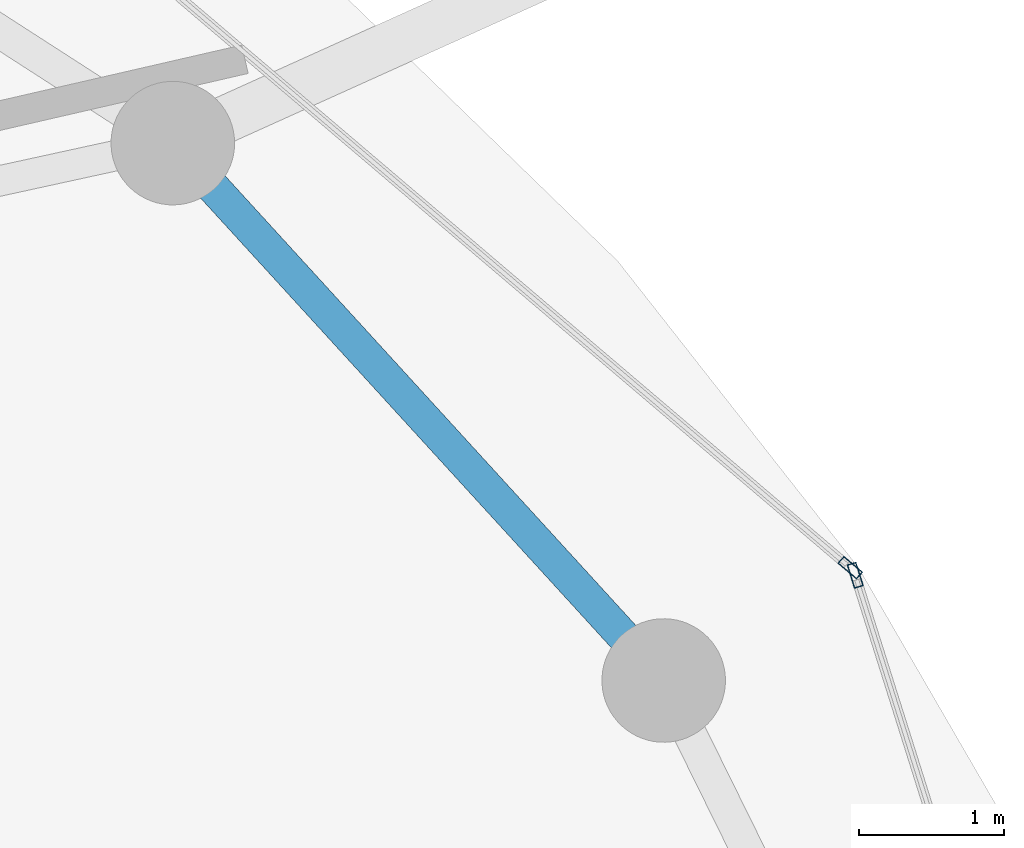
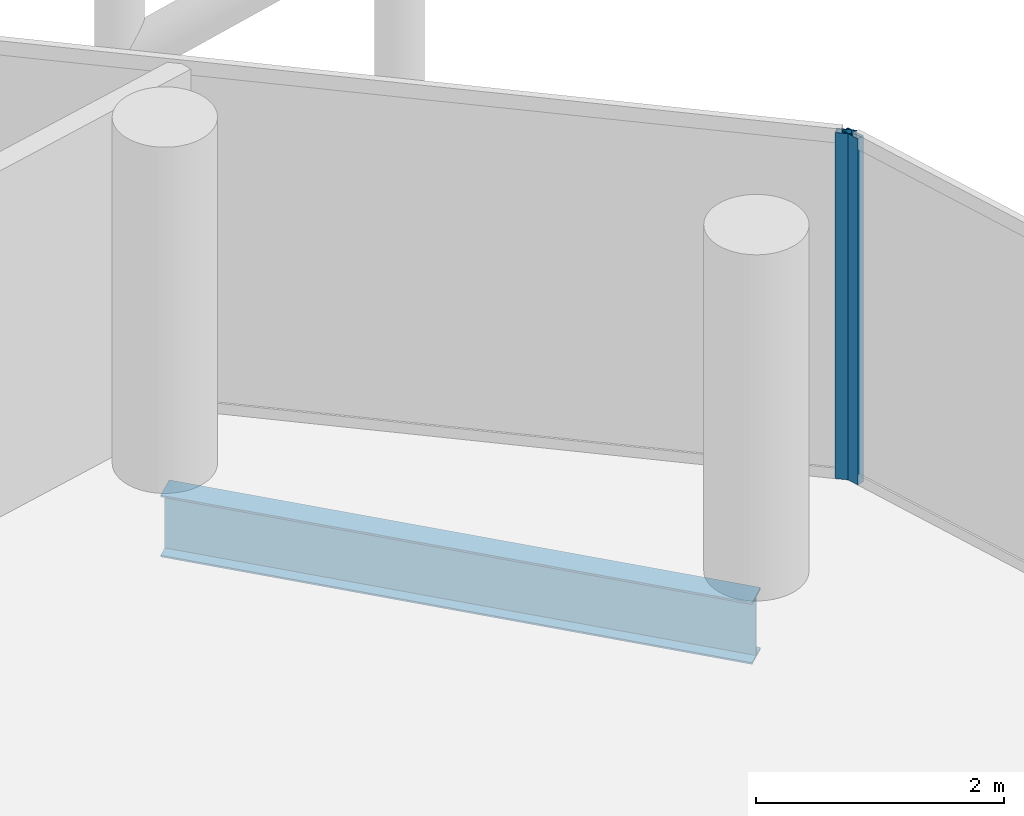
# One storey, part 17 of 27: 2 members, 1 beam, 2 elements without a shape of their own.
"""IFC4 building model written with IfcOpenShell, lengths in metres."""

from ifc_helpers import new_model, si_unit, direction, frame, origin, origin_2d, place, context, subcontext, project, spatial, hollow_rectangle, i_section, extrude, material, layer, layer_set, material_profile, profile_set, type_object, element, aggregate, save


model = new_model("IFC4")

# Units and contexts
model_context = context("Model", 3, precision=1e-05, world=origin(), true_north=direction((0.0, 1.0)))
body_context = subcontext(model_context, "Body", "Model", "MODEL_VIEW")
ifc_project = project(units=[si_unit("LENGTHUNIT", "METRE"), si_unit("AREAUNIT", "SQUARE_METRE"), si_unit("VOLUMEUNIT", "CUBIC_METRE"), si_unit("PLANEANGLEUNIT", "RADIAN"), si_unit("MASSUNIT", "GRAM", prefix="KILO")], contexts=[model_context])

# Site, building, storey
site_placement = place(None, origin())
site = spatial("IfcSite", under=ifc_project, at=site_placement, CompositionType="ELEMENT")
building_placement = place(site_placement, origin())
building = spatial("IfcBuilding", under=site, at=building_placement, Name="Nuhasar Tower", CompositionType="ELEMENT")
storey_placement = place(building_placement, frame((0.0, 0.0, 211.800048828125)))
storey = spatial("IfcBuildingStorey", under=building, at=storey_placement, Name="L51", CompositionType="ELEMENT", Elevation=211.800048828125)

# Beam
ifc_material_1 = material(Name="Steel S355", Category="steel")
ifc_material_profile_1 = material_profile(ifc_material_1, i_section(OverallWidth=0.22802734375, OverallDepth=0.60791015625, WebThickness=0.01123046875, FlangeThickness=0.017333984375, at=origin_2d()), Name="W24X76")
ifc_profile_set_1 = profile_set([ifc_material_profile_1], Name="Steel S355")
beam_type = type_object("IfcBeamType", Name="BM-RING-W24X76", PredefinedType="SPANDREL", material=ifc_profile_set_1)
beam_placement = place(storey_placement, frame((57.403076171875, 35.72509765625, -0.5439453125), z_axis=(-0.674449692975, 0.738320805373, 0.0), x_axis=(-0.738320805373, -0.674449692975, 0.0)))
element("IfcBeam", 1, at=beam_placement, inside=storey, type_object=beam_type, Name="L51 Perimeter Ring Spandrel 03", PredefinedType="SPANDREL", context=body_context, shape_type="SweptSolid", body=[
    extrude(i_section(OverallWidth=0.22802734375, OverallDepth=0.60791015625, WebThickness=0.01123046875, FlangeThickness=0.017333984375, at=origin_2d()), origin(), (0.0, 0.0, 1.0), 5.00732421875),
])

# Curtain wall, member
ifc_material_2 = material(Name="Aluminium 6063-T6", Category="aluminium")
ifc_layer = layer(ifc_material_2, 0.18994140625)
ifc_layer_set = layer_set([ifc_layer], Name="Aluminium 6063-T6")
curtain_wall_type = type_object("IfcCurtainWallType", Name="CW-Z3-RES", PredefinedType="NOTDEFINED", material=ifc_layer_set)
curtain_wall_1_placement = place(storey_placement, origin())
curtain_wall_1 = element("IfcCurtainWall", 2, at=curtain_wall_1_placement, inside=storey, type_object=curtain_wall_type, Name="L51 Unitised Curtain Wall 01", PredefinedType="NOTDEFINED")
ifc_material_profile_2 = material_profile(ifc_material_2, hollow_rectangle(XDim=0.06494140625, YDim=0.169921875, WallThickness=0.0048828125, at=origin_2d()), Name="CWM-4")
ifc_profile_set_2 = profile_set([ifc_material_profile_2], Name="Aluminium 6063-T6")
member_type = type_object("IfcMemberType", Name="CW-MUL-S4", PredefinedType="MULLION", material=ifc_profile_set_2)
member_1_placement = place(storey_placement, frame((58.720703125, 36.448974609375, 0.0), z_axis=(0.0, 0.0, 1.0), x_axis=(-0.95380429279, -0.30042864553, 0.0)))
member_1 = element("IfcMember", 3, at=member_1_placement, type_object=member_type, Name="CW-Z3 mullion 2", PredefinedType="MULLION", context=body_context, shape_type="SweptSolid", body=[
    extrude(hollow_rectangle(XDim=0.06494140625, YDim=0.169921875, WallThickness=0.0048828125, at=origin_2d()), origin(), (0.0, 0.0, 1.0), 3.409912109375),
])
aggregate(curtain_wall_1, [member_1])

curtain_wall_2_placement = place(storey_placement, origin())
curtain_wall_2 = element("IfcCurtainWall", 4, at=curtain_wall_2_placement, inside=storey, type_object=curtain_wall_type, Name="L51 Unitised Curtain Wall 02", PredefinedType="NOTDEFINED")
member_2_placement = place(storey_placement, frame((58.686279296875, 36.5009765625, 0.0), z_axis=(0.0, 0.0, 1.0), x_axis=(-0.64789521578, -0.761729472562, 0.0)))
member_2 = element("IfcMember", 5, at=member_2_placement, type_object=member_type, Name="CW-Z3 mullion 1", PredefinedType="MULLION", context=body_context, shape_type="SweptSolid", body=[
    extrude(hollow_rectangle(XDim=0.06494140625, YDim=0.169921875, WallThickness=0.0048828125, at=origin_2d()), origin(), (0.0, 0.0, 1.0), 3.409912109375),
])
aggregate(curtain_wall_2, [member_2])

save(model, "model.ifc")
